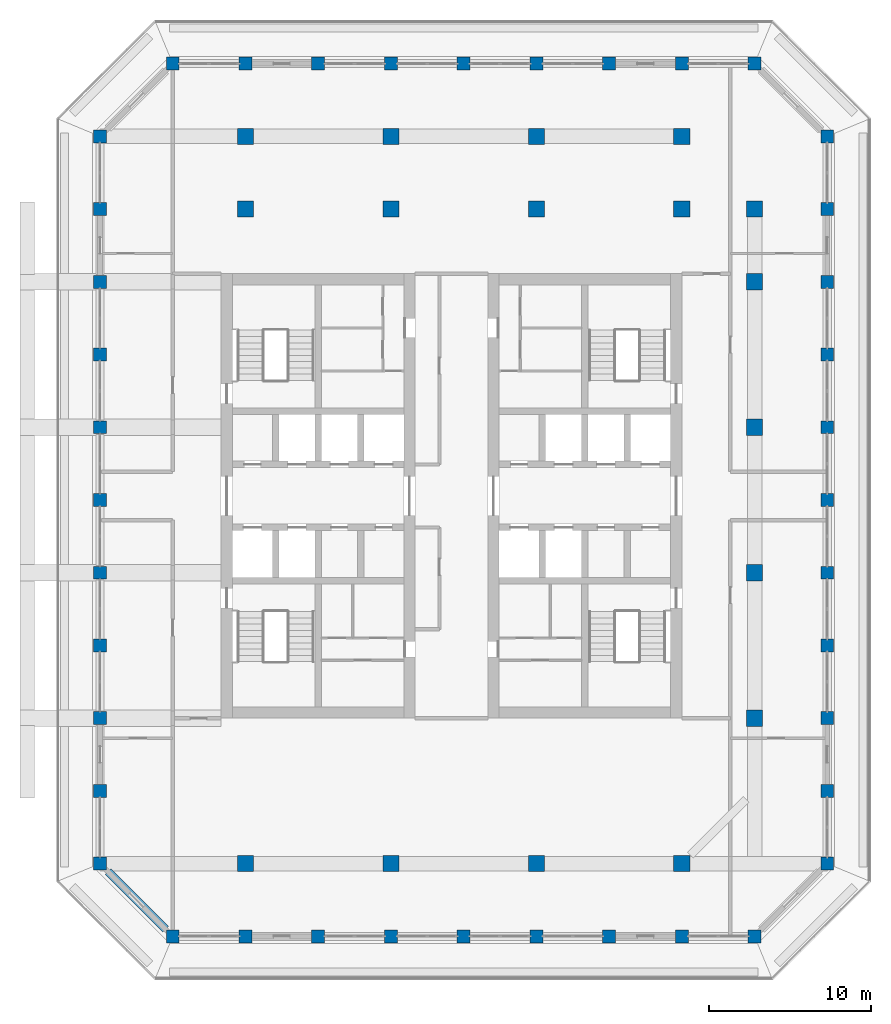
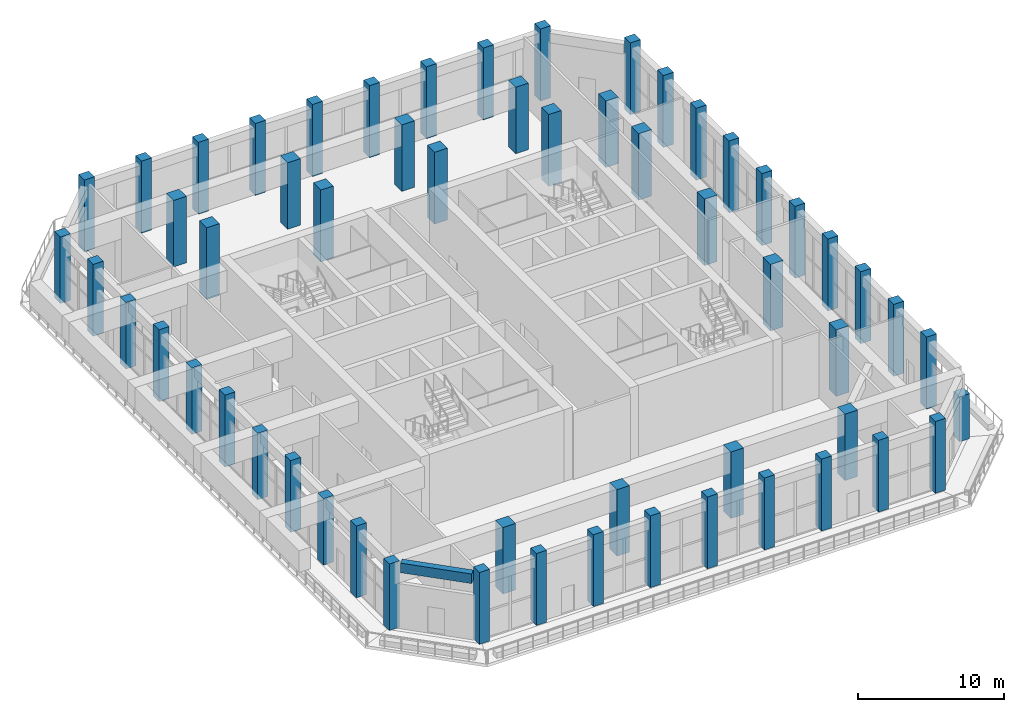
# One storey, part 1 of 25: 57 columns, 1 beam.
"""IFC4 building model written with IfcOpenShell, lengths in metres."""

from ifc_helpers import new_model, si_unit, direction, frame, origin, origin_2d, place, context, subcontext, project, spatial, rectangle, extrude, material, material_profile, profile_set, type_object, element, save


model = new_model("IFC4")

# Units and contexts
model_context = context("Model", 3, precision=1e-05, world=origin(), true_north=direction((0.0, 1.0)))
body_context = subcontext(model_context, "Body", "Model", "MODEL_VIEW")
ifc_project = project(units=[si_unit("LENGTHUNIT", "METRE"), si_unit("AREAUNIT", "SQUARE_METRE"), si_unit("VOLUMEUNIT", "CUBIC_METRE"), si_unit("PLANEANGLEUNIT", "RADIAN"), si_unit("MASSUNIT", "GRAM", prefix="KILO")], contexts=[model_context])

# Site, building, storey
site_placement = place(None, origin())
site = spatial("IfcSite", under=ifc_project, at=site_placement, CompositionType="ELEMENT")
building_placement = place(site_placement, origin())
building = spatial("IfcBuilding", under=site, at=building_placement, Name="Corbel Stack Research Tower", CompositionType="ELEMENT")
storey_placement = place(building_placement, frame((0.0, 0.0, 260.300048828125)))
storey = spatial("IfcBuildingStorey", under=building, at=storey_placement, Name="L59", CompositionType="ELEMENT", Elevation=260.300048828125)

# Columns
ifc_material_1 = material(Name="Concrete C60/75", Category="concrete")
ifc_material_profile_1 = material_profile(ifc_material_1, rectangle(XDim=1.0, YDim=1.0, at=origin_2d()), Name="RC 1000 x 1000")
ifc_profile_set_1 = profile_set([ifc_material_profile_1], Name="Concrete C60/75")
column_type_1 = type_object("IfcColumnType", Name="C-1000-60", PredefinedType="COLUMN", material=ifc_profile_set_1)
for number, where, z_axis, x_axis, name in (
    (1, (-9.0, 22.5, 0.0), (0.0, 0.0, 1.0), (1.0, 0.0, 0.0), "Column 6/N L59"),
    (2, (0.0, 22.5, 0.0), (0.0, 0.0, 1.0), (1.0, 0.0, 0.0), "Column 8/N L59"),
    (3, (9.0, 22.5, 0.0), (0.0, 0.0, 1.0), (1.0, 0.0, 0.0), "Column 10/N L59"),
    (4, (18.0, 22.5, 0.0), (0.0, 0.0, 1.0), (1.0, 0.0, 0.0), "Column 12/N L59"),
):
    element("IfcColumn", number, at=place(storey_placement, frame(where, z_axis=z_axis, x_axis=x_axis)), inside=storey, type_object=column_type_1, Name=name, PredefinedType="COLUMN", context=body_context, shape_type="SweptSolid", body=[
        extrude(rectangle(XDim=1.0, YDim=1.0, at=origin_2d()), origin(), (0.0, 0.0, 1.0), 6.0),
    ])
ifc_material_2 = material(Name="Concrete C60/75", Category="concrete")
ifc_material_profile_2 = material_profile(ifc_material_2, rectangle(XDim=0.800048828125, YDim=0.800048828125, at=origin_2d()), Name="RC 800 x 800")
ifc_profile_set_2 = profile_set([ifc_material_profile_2], Name="Concrete C60/75")
column_type_2 = type_object("IfcColumnType", Name="C-800-60", PredefinedType="COLUMN", material=ifc_profile_set_2)
for number, where, z_axis, x_axis, name in (
    (5, (-18.0, -13.5, 0.0), (0.0, 0.0, 1.0), (1.0, 0.0, 0.0), "Column 4/E L59"),
    (6, (-18.0, -4.5, 0.0), (0.0, 0.0, 1.0), (1.0, 0.0, 0.0), "Column 4/G L59"),
    (7, (-18.0, 4.5, 0.0), (0.0, 0.0, 1.0), (1.0, 0.0, 0.0), "Column 4/J L59"),
    (8, (-18.0, 13.5, 0.0), (0.0, 0.0, 1.0), (1.0, 0.0, 0.0), "Column 4/L L59"),
    (9, (-18.0, 22.5, 0.0), (0.0, 0.0, 1.0), (1.0, 0.0, 0.0), "Column 4/N L59"),
    (10, (-13.5, -22.5, 0.0), (0.0, 0.0, 1.0), (1.0, 0.0, 0.0), "Column 5/C L59"),
    (11, (-13.5, 31.5, 0.0), (0.0, 0.0, 1.0), (1.0, 0.0, 0.0), "Column 5/Q L59"),
    (12, (-9.0, -22.5, 0.0), (0.0, 0.0, 1.0), (1.0, 0.0, 0.0), "Column 6/C L59"),
    (13, (-9.0, 31.5, 0.0), (0.0, 0.0, 1.0), (1.0, 0.0, 0.0), "Column 6/Q L59"),
    (14, (-4.5, -22.5, 0.0), (0.0, 0.0, 1.0), (1.0, 0.0, 0.0), "Column 7/C L59"),
    (15, (-4.5, 31.5, 0.0), (0.0, 0.0, 1.0), (1.0, 0.0, 0.0), "Column 7/Q L59"),
    (16, (0.0, -22.5, 0.0), (0.0, 0.0, 1.0), (1.0, 0.0, 0.0), "Column 8/C L59"),
    (17, (0.0, 31.5, 0.0), (0.0, 0.0, 1.0), (1.0, 0.0, 0.0), "Column 8/Q L59"),
    (18, (4.5, -22.5, 0.0), (0.0, 0.0, 1.0), (1.0, 0.0, 0.0), "Column 9/C L59"),
    (19, (4.5, 31.5, 0.0), (0.0, 0.0, 1.0), (1.0, 0.0, 0.0), "Column 9/Q L59"),
    (20, (9.0, -22.5, 0.0), (0.0, 0.0, 1.0), (1.0, 0.0, 0.0), "Column 10/C L59"),
    (21, (9.0, 31.5, 0.0), (0.0, 0.0, 1.0), (1.0, 0.0, 0.0), "Column 10/Q L59"),
    (22, (13.5, -22.5, 0.0), (0.0, 0.0, 1.0), (1.0, 0.0, 0.0), "Column 11/C L59"),
    (23, (13.5, 31.5, 0.0), (0.0, 0.0, 1.0), (1.0, 0.0, 0.0), "Column 11/Q L59"),
    (24, (18.0, -22.5, 0.0), (0.0, 0.0, 1.0), (1.0, 0.0, 0.0), "Column 12/C L59"),
    (25, (18.0, 31.5, 0.0), (0.0, 0.0, 1.0), (1.0, 0.0, 0.0), "Column 12/Q L59"),
    (26, (22.5, -22.5, 0.0), (0.0, 0.0, 1.0), (1.0, 0.0, 0.0), "Column 13/C L59"),
    (27, (22.5, 31.5, 0.0), (0.0, 0.0, 1.0), (1.0, 0.0, 0.0), "Column 13/Q L59"),
    (28, (27.0, -13.5, 0.0), (0.0, 0.0, 1.0), (1.0, 0.0, 0.0), "Column 14/E L59"),
    (29, (27.0, -9.0, 0.0), (0.0, 0.0, 1.0), (1.0, 0.0, 0.0), "Column 14/F L59"),
    (30, (27.0, -4.5, 0.0), (0.0, 0.0, 1.0), (1.0, 0.0, 0.0), "Column 14/G L59"),
    (31, (27.0, 0.0, 0.0), (0.0, 0.0, 1.0), (1.0, 0.0, 0.0), "Column 14/H L59"),
    (32, (27.0, 4.5, 0.0), (0.0, 0.0, 1.0), (1.0, 0.0, 0.0), "Column 14/J L59"),
    (33, (27.0, 9.0, 0.0), (0.0, 0.0, 1.0), (1.0, 0.0, 0.0), "Column 14/K L59"),
    (34, (27.0, 13.5, 0.0), (0.0, 0.0, 1.0), (1.0, 0.0, 0.0), "Column 14/L L59"),
    (35, (27.0, 18.0, 0.0), (0.0, 0.0, 1.0), (1.0, 0.0, 0.0), "Column 14/M L59"),
    (36, (27.0, 22.5, 0.0), (0.0, 0.0, 1.0), (1.0, 0.0, 0.0), "Column 14/N L59"),
    (37, (27.0, 27.0, 0.0), (0.0, 0.0, 1.0), (1.0, 0.0, 0.0), "Column 14/P L59"),
):
    element("IfcColumn", number, at=place(storey_placement, frame(where, z_axis=z_axis, x_axis=x_axis)), inside=storey, type_object=column_type_2, Name=name, PredefinedType="COLUMN", context=body_context, shape_type="SweptSolid", body=[
        extrude(rectangle(XDim=0.800048828125, YDim=0.800048828125, at=origin_2d()), origin(), (0.0, 0.0, 1.0), 6.0),
    ])
ifc_material_3 = material(Name="Concrete C60/75", Category="concrete")
ifc_material_profile_3 = material_profile(ifc_material_3, rectangle(XDim=1.0, YDim=1.0, at=origin_2d()), Name="RC 1000 x 1000")
ifc_profile_set_3 = profile_set([ifc_material_profile_3], Name="Concrete C60/75")
column_type_3 = type_object("IfcColumnType", Name="CG-1000-60-450", PredefinedType="COLUMN", material=ifc_profile_set_3)
for number, where, z_axis, x_axis, name in (
    (38, (-9.0, -18.0, 0.0), (0.0, 0.0, 1.0), (1.0, 0.0, 0.0), "Column 6/D L59"),
    (39, (-9.0, 27.0, 0.0), (0.0, 0.0, 1.0), (1.0, 0.0, 0.0), "Column 6/P L59"),
    (40, (0.0, -18.0, 0.0), (0.0, 0.0, 1.0), (1.0, 0.0, 0.0), "Column 8/D L59"),
    (41, (0.0, 27.0, 0.0), (0.0, 0.0, 1.0), (1.0, 0.0, 0.0), "Column 8/P L59"),
    (42, (9.0, -18.0, 0.0), (0.0, 0.0, 1.0), (1.0, 0.0, 0.0), "Column 10/D L59"),
    (43, (9.0, 27.0, 0.0), (0.0, 0.0, 1.0), (1.0, 0.0, 0.0), "Column 10/P L59"),
    (44, (18.0, -18.0, 0.0), (0.0, 0.0, 1.0), (1.0, 0.0, 0.0), "Column 12/D L59"),
    (45, (18.0, 27.0, 0.0), (0.0, 0.0, 1.0), (1.0, 0.0, 0.0), "Column 12/P L59"),
    (46, (22.5, -9.0, 0.0), (0.0, 0.0, 1.0), (1.0, 0.0, 0.0), "Column 13/F L59"),
    (47, (22.5, 0.0, 0.0), (0.0, 0.0, 1.0), (1.0, 0.0, 0.0), "Column 13/H L59"),
    (48, (22.5, 9.0, 0.0), (0.0, 0.0, 1.0), (1.0, 0.0, 0.0), "Column 13/K L59"),
    (49, (22.5, 18.0, 0.0), (0.0, 0.0, 1.0), (1.0, 0.0, 0.0), "Column 13/M L59"),
    (50, (22.5, 22.5, 0.0), (0.0, 0.0, 1.0), (1.0, 0.0, 0.0), "Column 13/N L59"),
):
    element("IfcColumn", number, at=place(storey_placement, frame(where, z_axis=z_axis, x_axis=x_axis)), inside=storey, type_object=column_type_3, Name=name, PredefinedType="COLUMN", context=body_context, shape_type="SweptSolid", body=[
        extrude(rectangle(XDim=1.0, YDim=1.0, at=origin_2d()), origin(), (0.0, 0.0, 1.0), 5.550048828125),
    ])
ifc_material_4 = material(Name="Concrete C60/75", Category="concrete")
ifc_material_profile_4 = material_profile(ifc_material_4, rectangle(XDim=0.800048828125, YDim=0.800048828125, at=origin_2d()), Name="RC 800 x 800")
ifc_profile_set_4 = profile_set([ifc_material_profile_4], Name="Concrete C60/75")
column_type_4 = type_object("IfcColumnType", Name="CG-800-60-2250", PredefinedType="COLUMN", material=ifc_profile_set_4)
column_placement = place(storey_placement, frame((27.0, -18.0, 0.0), z_axis=(0.0, 0.0, 1.0), x_axis=(1.0, 0.0, 0.0)))
element("IfcColumn", 51, at=column_placement, inside=storey, type_object=column_type_4, Name="Column 14/D L59", PredefinedType="COLUMN", context=body_context, shape_type="SweptSolid", body=[
    extrude(rectangle(XDim=0.800048828125, YDim=0.800048828125, at=origin_2d()), origin(), (0.0, 0.0, 1.0), 3.75),
])
ifc_material_5 = material(Name="Concrete C60/75", Category="concrete")
ifc_material_profile_5 = material_profile(ifc_material_5, rectangle(XDim=0.800048828125, YDim=0.800048828125, at=origin_2d()), Name="RC 800 x 800")
ifc_profile_set_5 = profile_set([ifc_material_profile_5], Name="Concrete C60/75")
column_type_5 = type_object("IfcColumnType", Name="CG-800-60-450", PredefinedType="COLUMN", material=ifc_profile_set_5)
for number, where, z_axis, x_axis, name in (
    (52, (-18.0, -18.0, 0.0), (0.0, 0.0, 1.0), (1.0, 0.0, 0.0), "Column 4/D L59"),
    (53, (-18.0, -9.0, 0.0), (0.0, 0.0, 1.0), (1.0, 0.0, 0.0), "Column 4/F L59"),
    (54, (-18.0, 0.0, 0.0), (0.0, 0.0, 1.0), (1.0, 0.0, 0.0), "Column 4/H L59"),
    (55, (-18.0, 9.0, 0.0), (0.0, 0.0, 1.0), (1.0, 0.0, 0.0), "Column 4/K L59"),
    (56, (-18.0, 18.0, 0.0), (0.0, 0.0, 1.0), (1.0, 0.0, 0.0), "Column 4/M L59"),
    (57, (-18.0, 27.0, 0.0), (0.0, 0.0, 1.0), (1.0, 0.0, 0.0), "Column 4/P L59"),
):
    element("IfcColumn", number, at=place(storey_placement, frame(where, z_axis=z_axis, x_axis=x_axis)), inside=storey, type_object=column_type_5, Name=name, PredefinedType="COLUMN", context=body_context, shape_type="SweptSolid", body=[
        extrude(rectangle(XDim=0.800048828125, YDim=0.800048828125, at=origin_2d()), origin(), (0.0, 0.0, 1.0), 5.550048828125),
    ])

# Beam
ifc_material_6 = material(Name="Concrete C60/75", Category="concrete")
ifc_material_profile_6 = material_profile(ifc_material_6, rectangle(XDim=0.5, YDim=0.800048828125, at=origin_2d()), Name="RC 500 x 800")
ifc_profile_set_6 = profile_set([ifc_material_profile_6], Name="Concrete C60/75")
beam_type = type_object("IfcBeamType", Name="SB-500-800-450", PredefinedType="SPANDREL", material=ifc_profile_set_6)
beam_placement = place(storey_placement, frame((-17.507568359375, -18.492431640625, 5.14990234375), z_axis=(0.707106781187, -0.707106781187, 0.0), x_axis=(0.707106781187, 0.707106781187, 0.0)))
element("IfcBeam", 58, at=beam_placement, inside=storey, type_object=beam_type, Name="Spandrel beam L59-40", PredefinedType="SPANDREL", context=body_context, shape_type="SweptSolid", body=[
    extrude(rectangle(XDim=0.5, YDim=0.800048828125, at=origin_2d()), origin(), (0.0, 0.0, 1.0), 5.0419921875),
])

save(model, "model.ifc")
